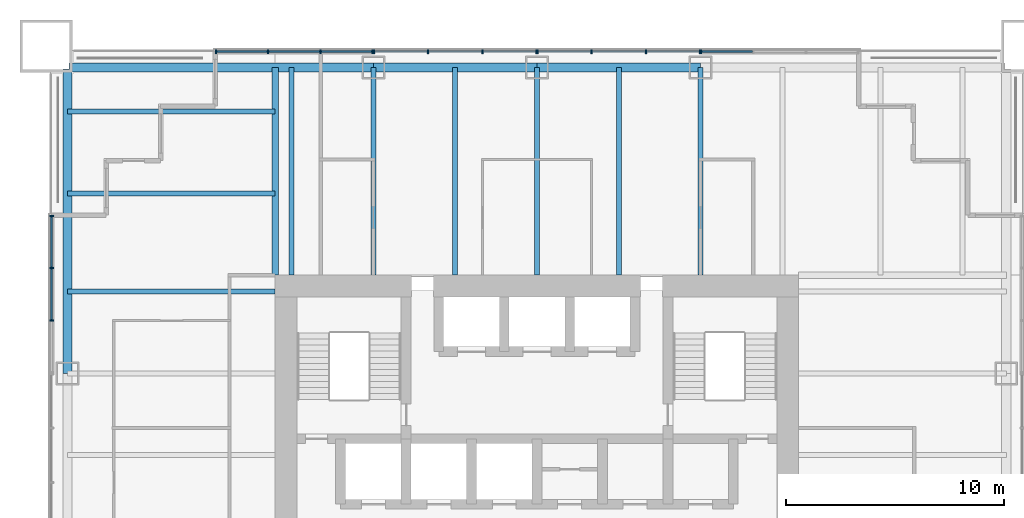
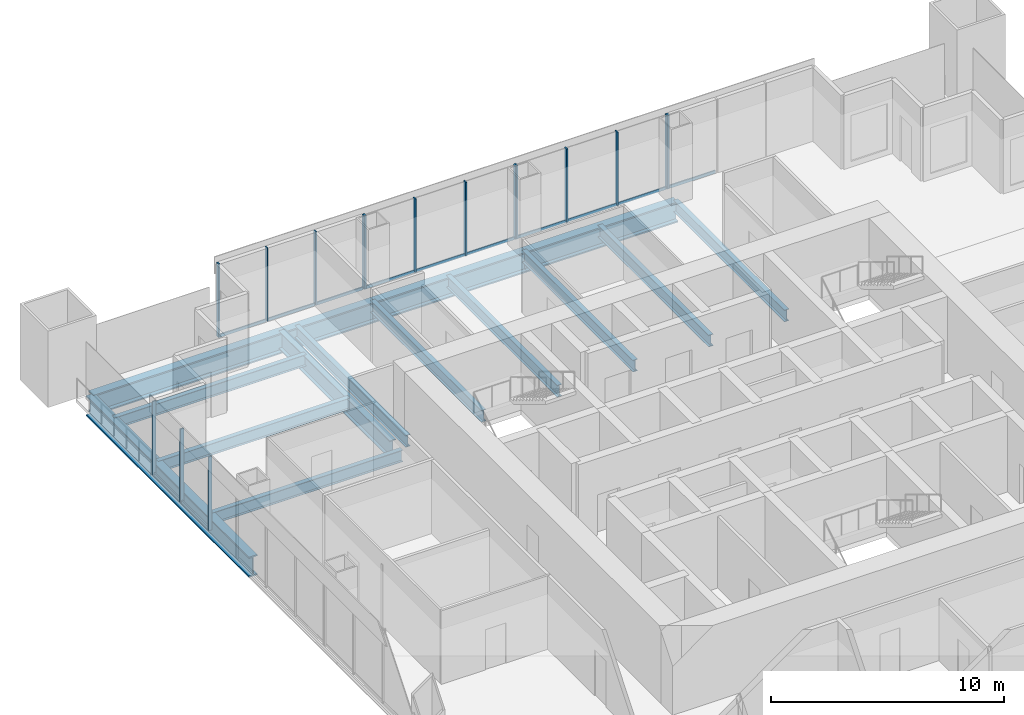
# One storey, part 5 of 13: 28 members, 14 beams, 5 elements without a shape of their own.
"""IFC4 building model written with IfcOpenShell, lengths in metres."""

import ifcopenshell
import ifcopenshell.guid

model = None  # the IFC model being written
_history = None  # IfcOwnerHistory: only IFC2X3 demands one
_inside = {}  # id of a spatial element -> (the spatial element, [elements in it])
_under = {}  # id of a project, library or spatial element -> (it, [spatial elements below it])
_declared = {}  # id of a project -> (the project, [libraries it declares])
_typed = {}  # id of a type object -> (the type object, [elements of that type])
_made_of = {}  # id of a material, layer set ... -> (it, [elements and type objects made of it])


def new_model(schema):
    """Start an empty IFC model of exactly this schema.

    Asked for "IFC4X3", IfcOpenShell would pick the latest addendum, in which some entities
    have other attributes; the version numbers below select the first issue.
    IFC2X3 requires an IfcOwnerHistory on every rooted entity: one is made here for all.
    """
    global model, _history
    if schema == "IFC4X3":
        model = ifcopenshell.file(schema_version=(4, 3, 0, 0))
    else:
        model = ifcopenshell.file(schema=schema)
    _inside.clear()
    _under.clear()
    _declared.clear()
    _typed.clear()
    _made_of.clear()
    _history = None
    if model.schema == "IFC2X3":
        org = make("IfcOrganization", Name="unknown")
        user = make(
            "IfcPersonAndOrganization",
            ThePerson=make("IfcPerson", FamilyName="unknown"),
            TheOrganization=org,
        )
        app = make(
            "IfcApplication",
            ApplicationDeveloper=org,
            Version="unknown",
            ApplicationFullName="unknown",
            ApplicationIdentifier="unknown",
        )
        _history = make(
            "IfcOwnerHistory",
            OwningUser=user,
            OwningApplication=app,
            ChangeAction="ADDED",
            CreationDate=0,
        )
    return model


def make(cls, **values):
    """One entity of the class cls with the attributes given. An attribute that is None is left unset."""
    return model.create_entity(
        cls, **{name: value for name, value in values.items() if value is not None}
    )


def rooted(cls, **values):
    """An entity with a GlobalId (a new one), such as an element, a storey or a relation."""
    return make(cls, GlobalId=ifcopenshell.guid.new(), OwnerHistory=_history, **values)


def si_unit(unit_type, name, prefix=None):
    """IfcSIUnit, for example si_unit("LENGTHUNIT", "METRE", prefix="MILLI")."""
    return make("IfcSIUnit", UnitType=unit_type, Prefix=prefix, Name=name)


def assignment(units):
    """IfcUnitAssignment: the units of a project."""
    return None if units is None else make("IfcUnitAssignment", Units=units)


def point(xyz):
    """IfcCartesianPoint."""
    return None if xyz is None else make("IfcCartesianPoint", Coordinates=xyz)


def direction(xyz):
    """IfcDirection."""
    return None if xyz is None else make("IfcDirection", DirectionRatios=xyz)


def frame(location, z_axis=None, x_axis=None):
    """IfcAxis2Placement3D, a coordinate frame: its origin and axes. An axis left out is left unset."""
    return make(
        "IfcAxis2Placement3D",
        Location=point(location),
        Axis=direction(z_axis),
        RefDirection=direction(x_axis),
    )


def frame_2d(location, x_axis=None):
    """IfcAxis2Placement2D, a coordinate frame in the plane: its origin and x axis."""
    return make(
        "IfcAxis2Placement2D", Location=point(location), RefDirection=direction(x_axis)
    )


def origin():
    """The frame at (0, 0, 0) with its axes left unset."""
    return frame((0.0, 0.0, 0.0))


def origin_2d():
    """The frame at (0, 0) in the plane with its x axis left unset."""
    return frame_2d((0.0, 0.0))


def place(relative_to, where):
    """IfcLocalPlacement: puts the frame where relative to a parent placement (None: the world)."""
    return make(
        "IfcLocalPlacement", PlacementRelTo=relative_to, RelativePlacement=where
    )


def context(
    kind, dimensions, precision=None, world=None, true_north=None, identifier=None
):
    """IfcGeometricRepresentationContext, for example the 3D "Model" context."""
    return make(
        "IfcGeometricRepresentationContext",
        ContextIdentifier=identifier,
        ContextType=kind,
        CoordinateSpaceDimension=dimensions,
        Precision=precision,
        WorldCoordinateSystem=world,
        TrueNorth=true_north,
    )


def subcontext(parent, identifier, kind, view, scale=None):
    """IfcGeometricRepresentationSubContext, for example "Body" below "Model"."""
    return make(
        "IfcGeometricRepresentationSubContext",
        ContextIdentifier=identifier,
        ContextType=kind,
        ParentContext=parent,
        TargetScale=scale,
        TargetView=view,
    )


def project(units=None, contexts=None):
    """IfcProject with its units and contexts."""
    return rooted(
        "IfcProject",
        Name="project",
        RepresentationContexts=contexts,
        UnitsInContext=assignment(units),
    )


def spatial(cls, under=None, at=None, **own):
    """A site, building, storey or space (cls), placed at a placement, below another one or the project."""
    s = rooted(cls, ObjectPlacement=at, **own)
    if under is not None:
        _under.setdefault(under.id(), (under, []))[1].append(s)
    return s


def profile(cls, at=None, kind="AREA", **sizes):
    """A parametric profile (cls). Its sizes go by their IFC names, for example OverallWidth=200.0."""
    return make(cls, ProfileType=kind, Position=at, **sizes)


def rectangle(**sizes):
    """IfcRectangleProfileDef."""
    return profile("IfcRectangleProfileDef", **sizes)


def i_section(**sizes):
    """IfcIShapeProfileDef."""
    return profile("IfcIShapeProfileDef", **sizes)


def extrude(swept, where, along, depth):
    """IfcExtrudedAreaSolid: the profile swept, set in the frame where, extruded along a direction by depth."""
    return make(
        "IfcExtrudedAreaSolid",
        SweptArea=swept,
        Position=where,
        ExtrudedDirection=direction(along),
        Depth=depth,
    )


def shape(context_of_items, identifier, shape_type, items):
    """IfcShapeRepresentation: the items that make up one representation, for example the "Body"."""
    return make(
        "IfcShapeRepresentation",
        ContextOfItems=context_of_items,
        RepresentationIdentifier=identifier,
        RepresentationType=shape_type,
        Items=items,
    )


def material(Name=None, Category=None):
    """IfcMaterial."""
    return make("IfcMaterial", Name=Name, Category=Category)


def material_profile(
    of_material, cross_section, Name=None, Category=None, Priority=None
):
    """IfcMaterialProfile: a cross section and its material."""
    return make(
        "IfcMaterialProfile",
        Name=Name,
        Material=of_material,
        Profile=cross_section,
        Priority=Priority,
        Category=Category,
    )


def profile_set(profiles, Name=None, composite=None):
    """IfcMaterialProfileSet."""
    return make(
        "IfcMaterialProfileSet",
        Name=Name,
        MaterialProfiles=profiles,
        CompositeProfile=composite,
    )


def made_of(thing, what):
    """Note that an element or type object is made of a material, layer set ...; save() writes the relation."""
    if what is not None:
        _made_of.setdefault(what.id(), (what, []))[1].append(thing)
    return thing


def type_object(cls, material=None, **own):
    """A type object (cls), such as IfcWallType, which elements share."""
    return made_of(rooted(cls, **own), material)


def element(
    cls,
    number,
    at=None,
    inside=None,
    cuts=None,
    type_object=None,
    material=None,
    context=None,
    identifier="Body",
    shape_type=None,
    held_by="IfcProductDefinitionShape",
    body=None,
    shapes=None,
    **own,
):
    """One element of the class cls, such as IfcWall. Its Tag is "e" and its number.

    at: its placement. inside: the storey or other place that contains it. cuts: it is an
    opening in that element (IfcRelVoidsElement). A single representation is given by context,
    identifier, shape_type and body (its items); several are given by shapes. held_by: the class
    of the entity that holds the representations. save() writes the other relations.
    """
    e = rooted(cls, Tag="e%d" % number, ObjectPlacement=at, **own)
    if body is not None:
        shapes = [shape(context, identifier, shape_type, body)]
    if shapes is not None:
        e.Representation = make(held_by, Representations=shapes)
    if inside is not None:
        _inside.setdefault(inside.id(), (inside, []))[1].append(e)
    if cuts is not None:
        rooted(
            "IfcRelVoidsElement", RelatingBuildingElement=cuts, RelatedOpeningElement=e
        )
    if type_object is not None:
        _typed.setdefault(type_object.id(), (type_object, []))[1].append(e)
    return made_of(e, material)


def aggregate(whole, parts):
    """IfcRelAggregates: a whole, such as a stair, and the parts it consists of."""
    return rooted("IfcRelAggregates", RelatingObject=whole, RelatedObjects=parts)


def save(model, path):
    """Write the relations noted so far, then the file.

    IfcRelAggregates (storeys below a building ...), IfcRelContainedInSpatialStructure (elements
    in a storey), IfcRelDefinesByType, IfcRelAssociatesMaterial and IfcRelDeclares: one each for
    every whole, place, type object, material and project.
    """
    for whole, parts in _under.values():
        aggregate(whole, parts)
    for where, things in _inside.values():
        rooted(
            "IfcRelContainedInSpatialStructure",
            RelatedElements=things,
            RelatingStructure=where,
        )
    for kind, things in _typed.values():
        rooted("IfcRelDefinesByType", RelatedObjects=things, RelatingType=kind)
    for what, things in _made_of.values():
        rooted("IfcRelAssociatesMaterial", RelatedObjects=things, RelatingMaterial=what)
    for by, libraries in _declared.values():
        rooted("IfcRelDeclares", RelatingContext=by, RelatedDefinitions=libraries)
    model.write(path)


model = new_model("IFC4")

# Units and contexts
model_context = context("Model", 3, precision=1e-05, world=origin(), true_north=direction((0.0, 1.0)))
body_context = subcontext(model_context, "Body", "Model", "MODEL_VIEW")
ifc_project = project(units=[si_unit("LENGTHUNIT", "METRE"), si_unit("AREAUNIT", "SQUARE_METRE"), si_unit("VOLUMEUNIT", "CUBIC_METRE"), si_unit("PLANEANGLEUNIT", "RADIAN"), si_unit("MASSUNIT", "GRAM", prefix="KILO")], contexts=[model_context])

# Site, building, storey
site_placement = place(None, origin())
site = spatial("IfcSite", under=ifc_project, at=site_placement, CompositionType="ELEMENT")
building_placement = place(site_placement, origin())
building = spatial("IfcBuilding", under=site, at=building_placement, Name="Tarangal Relay Tower", CompositionType="ELEMENT")
storey_placement = place(building_placement, frame((0.0, 0.0, 241.89990234375)))
storey = spatial("IfcBuildingStorey", under=building, at=storey_placement, Name="L52", CompositionType="ELEMENT", Elevation=241.89990234375)

# Beams
ifc_material_1 = material(Name="Steel ASTM A992", Category="steel")
ifc_material_profile_1 = material_profile(ifc_material_1, i_section(OverallWidth=0.227783203125, OverallDepth=0.60205078125, WebThickness=0.010498046875, FlangeThickness=0.014892578125, at=origin_2d()), Name="W24X68")
ifc_profile_set_1 = profile_set([ifc_material_profile_1], Name="Steel ASTM A992")
beam_type_1 = type_object("IfcBeamType", Name="Corner beam W24X68", PredefinedType="JOIST", material=ifc_profile_set_1)
for number, where, z_axis, x_axis, name in (
    (1, (-12.0, 15.75, -0.450927734375), (-1.0, 0.0, 0.0), (0.0, -1.0, 0.0), "Corner beam CB11 W L52"),
    (2, (-12.0, 19.5, -0.450927734375), (-1.0, 0.0, 0.0), (0.0, -1.0, 0.0), "Corner beam CB11 W L52"),
):
    element("IfcBeam", number, at=place(storey_placement, frame(where, z_axis=z_axis, x_axis=x_axis)), inside=storey, type_object=beam_type_1, Name=name, PredefinedType="JOIST", context=body_context, shape_type="SweptSolid", body=[
        extrude(i_section(OverallWidth=0.227783203125, OverallDepth=0.60205078125, WebThickness=0.010498046875, FlangeThickness=0.014892578125, at=origin_2d()), origin(), (0.0, 0.0, 1.0), 9.514892578125),
    ])
ifc_material_profile_2 = material_profile(ifc_material_1, i_section(OverallWidth=0.307373046875, OverallDepth=0.9423828125, WebThickness=0.022216796875, FlangeThickness=0.039794921875, at=origin_2d()), Name="W36X232")
ifc_profile_set_2 = profile_set([ifc_material_profile_2], Name="Steel ASTM A992")
beam_type_2 = type_object("IfcBeamType", Name="Corner girder W36X232", PredefinedType="BEAM", material=ifc_profile_set_2)
beam_1_placement = place(storey_placement, frame((-12.0, 12.0, -0.62109375), z_axis=(0.0, 1.0, 0.0), x_axis=(-1.0, 0.0, 0.0)))
element("IfcBeam", 3, at=beam_1_placement, inside=storey, type_object=beam_type_2, Name="Corner girder CG4 W L52", PredefinedType="BEAM", context=body_context, shape_type="SweptSolid", body=[
    extrude(i_section(OverallWidth=0.307373046875, OverallDepth=0.9423828125, WebThickness=0.022216796875, FlangeThickness=0.039794921875, at=origin_2d()), origin(), (0.0, 0.0, 1.0), 9.514892578125),
])
ifc_material_profile_3 = material_profile(ifc_material_1, i_section(OverallWidth=0.41650390625, OverallDepth=1.0693359375, WebThickness=0.0390625, FlangeThickness=0.070068359375, at=origin_2d()), Name="W40X503")
ifc_profile_set_3 = profile_set([ifc_material_profile_3], Name="Steel ASTM A992")
beam_type_3 = type_object("IfcBeamType", Name="Edge girder W40X503", PredefinedType="SPANDREL", material=ifc_profile_set_3)
beam_2_placement = place(storey_placement, frame((-21.449951171875, 21.514892578125, -0.6845703125), z_axis=(1.0, 0.0, 0.0), x_axis=(0.0, 1.0, 0.0)))
element("IfcBeam", 4, at=beam_2_placement, inside=storey, type_object=beam_type_3, Name="Edge girder EG8 N L52", PredefinedType="SPANDREL", context=body_context, shape_type="SweptSolid", body=[
    extrude(i_section(OverallWidth=0.41650390625, OverallDepth=1.0693359375, WebThickness=0.0390625, FlangeThickness=0.070068359375, at=origin_2d()), origin(), (0.0, 0.0, 1.0), 13.949951171875),
])
for number, where, z_axis, x_axis, name in (
    (5, (-7.5, 21.514892578125, -0.6845703125), (1.0, 0.0, 0.0), (0.0, 1.0, 0.0), "Edge girder EG8 N L52"),
    (6, (0.0, 21.514892578125, -0.6845703125), (1.0, 0.0, 0.0), (0.0, 1.0, 0.0), "Edge girder EG8 N L52"),
):
    element("IfcBeam", number, at=place(storey_placement, frame(where, z_axis=z_axis, x_axis=x_axis)), inside=storey, type_object=beam_type_3, Name=name, PredefinedType="SPANDREL", context=body_context, shape_type="SweptSolid", body=[
        extrude(i_section(OverallWidth=0.41650390625, OverallDepth=1.0693359375, WebThickness=0.0390625, FlangeThickness=0.070068359375, at=origin_2d()), origin(), (0.0, 0.0, 1.0), 7.5),
    ])
beam_3_placement = place(storey_placement, frame((-21.514892578125, 7.5, -0.6845703125), z_axis=(0.0, 1.0, 0.0), x_axis=(-1.0, 0.0, 0.0)))
element("IfcBeam", 7, at=beam_3_placement, inside=storey, type_object=beam_type_3, Name="Edge girder EG8 W L52", PredefinedType="SPANDREL", context=body_context, shape_type="SweptSolid", body=[
    extrude(i_section(OverallWidth=0.41650390625, OverallDepth=1.0693359375, WebThickness=0.0390625, FlangeThickness=0.070068359375, at=origin_2d()), origin(), (0.0, 0.0, 1.0), 13.949951171875),
])
ifc_material_profile_4 = material_profile(ifc_material_1, i_section(OverallWidth=0.22900390625, OverallDepth=0.612060546875, WebThickness=0.011962890625, FlangeThickness=0.01953125, at=origin_2d()), Name="W24X84")
ifc_profile_set_4 = profile_set([ifc_material_profile_4], Name="Steel ASTM A992")
beam_type_4 = type_object("IfcBeamType", Name="Floor beam W24X84", PredefinedType="BEAM", material=ifc_profile_set_4)
for number, where, z_axis, x_axis, name in (
    (8, (-11.25, 12.0, -0.455810546875), (0.0, 1.0, 0.0), (-1.0, 0.0, 0.0), "Floor beam RB12 N L52"),
    (9, (-7.5, 12.0, -0.455810546875), (0.0, 1.0, 0.0), (-1.0, 0.0, 0.0), "Floor beam RB12 N L52"),
    (10, (-3.75, 12.0, -0.455810546875), (0.0, 1.0, 0.0), (-1.0, 0.0, 0.0), "Floor beam RB12 N L52"),
    (11, (0.0, 12.0, -0.455810546875), (0.0, 1.0, 0.0), (-1.0, 0.0, 0.0), "Floor beam RB12 N L52"),
    (12, (3.75, 12.0, -0.455810546875), (0.0, 1.0, 0.0), (-1.0, 0.0, 0.0), "Floor beam RB12 N L52"),
    (13, (7.5, 12.0, -0.455810546875), (0.0, 1.0, 0.0), (-1.0, 0.0, 0.0), "Floor beam RB12 N L52"),
    (14, (-12.0, 11.25, -0.455810546875), (-1.0, 0.0, 0.0), (0.0, -1.0, 0.0), "Floor beam RB12 W L52"),
):
    element("IfcBeam", number, at=place(storey_placement, frame(where, z_axis=z_axis, x_axis=x_axis)), inside=storey, type_object=beam_type_4, Name=name, PredefinedType="BEAM", context=body_context, shape_type="SweptSolid", body=[
        extrude(i_section(OverallWidth=0.22900390625, OverallDepth=0.612060546875, WebThickness=0.011962890625, FlangeThickness=0.01953125, at=origin_2d()), origin(), (0.0, 0.0, 1.0), 9.514892578125),
    ])

# Curtain wall, members
ifc_material_2 = material(Name="Unitised curtain wall, dark glass and black aluminium", Category="aluminium")
curtain_wall_type_1 = type_object("IfcCurtainWallType", Name="Curtain wall CW-A", PredefinedType="USERDEFINED", material=ifc_material_2)
curtain_wall_1_placement = place(storey_placement, origin())
curtain_wall_1 = element("IfcCurtainWall", 15, at=curtain_wall_1_placement, inside=storey, type_object=curtain_wall_type_1, Name="Curtain wall CW-A N facade L52", ObjectType="UNITISED CURTAIN WALL", PredefinedType="USERDEFINED")
ifc_material_3 = material(Name="Black anodised aluminium mullion", Category="aluminium")
ifc_material_profile_5 = material_profile(ifc_material_3, rectangle(XDim=0.175048828125, YDim=0.06494140625, at=origin_2d()), Name="CW-AM 65X175")
ifc_profile_set_5 = profile_set([ifc_material_profile_5], Name="Black anodised aluminium mullion")
member_type_1 = type_object("IfcMemberType", Name="Mullion CW-A 65 x 175", PredefinedType="MULLION", material=ifc_profile_set_5)
member_1_placement = place(storey_placement, frame((-7.467529296875, 22.25, 0.0), z_axis=(0.0, 0.0, 1.0), x_axis=(0.0, 1.0, 0.0)))
member_1 = element("IfcMember", 16, at=member_1_placement, type_object=member_type_1, Name="CW-A mullion 1", PredefinedType="MULLION", context=body_context, shape_type="SweptSolid", body=[
    extrude(rectangle(XDim=0.175048828125, YDim=0.06494140625, at=origin_2d()), origin(), (0.0, 0.0, 1.0), 3.85009765625),
])
member_2_placement = place(storey_placement, frame((-5.0, 22.25, 0.0), z_axis=(0.0, 0.0, 1.0), x_axis=(0.0, 1.0, 0.0)))
member_2 = element("IfcMember", 17, at=member_2_placement, type_object=member_type_1, Name="CW-A mullion 2", PredefinedType="MULLION", context=body_context, shape_type="SweptSolid", body=[
    extrude(rectangle(XDim=0.175048828125, YDim=0.06494140625, at=origin_2d()), origin(), (0.0, 0.0, 1.0), 3.85009765625),
])
member_3_placement = place(storey_placement, frame((-2.5, 22.25, 0.0), z_axis=(0.0, 0.0, 1.0), x_axis=(0.0, 1.0, 0.0)))
member_3 = element("IfcMember", 18, at=member_3_placement, type_object=member_type_1, Name="CW-A mullion 3", PredefinedType="MULLION", context=body_context, shape_type="SweptSolid", body=[
    extrude(rectangle(XDim=0.175048828125, YDim=0.06494140625, at=origin_2d()), origin(), (0.0, 0.0, 1.0), 3.85009765625),
])
member_4_placement = place(storey_placement, frame((-0.032470703125, 22.25, 0.0), z_axis=(0.0, 0.0, 1.0), x_axis=(0.0, 1.0, 0.0)))
member_4 = element("IfcMember", 19, at=member_4_placement, type_object=member_type_1, Name="CW-A mullion 4", PredefinedType="MULLION", context=body_context, shape_type="SweptSolid", body=[
    extrude(rectangle(XDim=0.175048828125, YDim=0.06494140625, at=origin_2d()), origin(), (0.0, 0.0, 1.0), 3.85009765625),
])

curtain_wall_2_placement = place(storey_placement, origin())
curtain_wall_2 = element("IfcCurtainWall", 20, at=curtain_wall_2_placement, inside=storey, type_object=curtain_wall_type_1, Name="Curtain wall CW-A N facade L52", ObjectType="UNITISED CURTAIN WALL", PredefinedType="USERDEFINED")
member_5_placement = place(storey_placement, frame((0.032470703125, 22.25, 0.0), z_axis=(0.0, 0.0, 1.0), x_axis=(0.0, 1.0, 0.0)))
member_5 = element("IfcMember", 21, at=member_5_placement, type_object=member_type_1, Name="CW-A mullion 1", PredefinedType="MULLION", context=body_context, shape_type="SweptSolid", body=[
    extrude(rectangle(XDim=0.175048828125, YDim=0.06494140625, at=origin_2d()), origin(), (0.0, 0.0, 1.0), 3.85009765625),
])
member_6_placement = place(storey_placement, frame((2.5, 22.25, 0.0), z_axis=(0.0, 0.0, 1.0), x_axis=(0.0, 1.0, 0.0)))
member_6 = element("IfcMember", 22, at=member_6_placement, type_object=member_type_1, Name="CW-A mullion 2", PredefinedType="MULLION", context=body_context, shape_type="SweptSolid", body=[
    extrude(rectangle(XDim=0.175048828125, YDim=0.06494140625, at=origin_2d()), origin(), (0.0, 0.0, 1.0), 3.85009765625),
])
member_7_placement = place(storey_placement, frame((5.0, 22.25, 0.0), z_axis=(0.0, 0.0, 1.0), x_axis=(0.0, 1.0, 0.0)))
member_7 = element("IfcMember", 23, at=member_7_placement, type_object=member_type_1, Name="CW-A mullion 3", PredefinedType="MULLION", context=body_context, shape_type="SweptSolid", body=[
    extrude(rectangle(XDim=0.175048828125, YDim=0.06494140625, at=origin_2d()), origin(), (0.0, 0.0, 1.0), 3.85009765625),
])
member_8_placement = place(storey_placement, frame((7.467529296875, 22.25, 0.0), z_axis=(0.0, 0.0, 1.0), x_axis=(0.0, 1.0, 0.0)))
member_8 = element("IfcMember", 24, at=member_8_placement, type_object=member_type_1, Name="CW-A mullion 4", PredefinedType="MULLION", context=body_context, shape_type="SweptSolid", body=[
    extrude(rectangle(XDim=0.175048828125, YDim=0.06494140625, at=origin_2d()), origin(), (0.0, 0.0, 1.0), 3.85009765625),
])

ifc_material_4 = material(Name="Unitised curtain wall frame, black aluminium, with metal clad infill walls", Category="aluminium")
curtain_wall_type_2 = type_object("IfcCurtainWallType", Name="Curtain wall CW-AO", PredefinedType="USERDEFINED", material=ifc_material_4)
curtain_wall_3_placement = place(storey_placement, origin())
curtain_wall_3 = element("IfcCurtainWall", 25, at=curtain_wall_3_placement, inside=storey, type_object=curtain_wall_type_2, Name="Curtain wall CW-AO N facade L52", ObjectType="UNITISED CURTAIN WALL", PredefinedType="USERDEFINED")
ifc_material_profile_6 = material_profile(ifc_material_3, rectangle(XDim=0.175048828125, YDim=0.06494140625, at=origin_2d()), Name="CW-AOM 65X175")
ifc_profile_set_6 = profile_set([ifc_material_profile_6], Name="Black anodised aluminium mullion")
member_type_2 = type_object("IfcMemberType", Name="Mullion CW-AO 65 x 175", PredefinedType="MULLION", material=ifc_profile_set_6)
member_9_placement = place(storey_placement, frame((-14.717529296875, 22.25, 0.0), z_axis=(0.0, 0.0, 1.0), x_axis=(0.0, 1.0, 0.0)))
member_9 = element("IfcMember", 26, at=member_9_placement, type_object=member_type_2, Name="CW-AO mullion 1", PredefinedType="MULLION", context=body_context, shape_type="SweptSolid", body=[
    extrude(rectangle(XDim=0.175048828125, YDim=0.06494140625, at=origin_2d()), origin(), (0.0, 0.0, 1.0), 3.85009765625),
])
member_10_placement = place(storey_placement, frame((-12.333251953125, 22.25, 0.0), z_axis=(0.0, 0.0, 1.0), x_axis=(0.0, 1.0, 0.0)))
member_10 = element("IfcMember", 27, at=member_10_placement, type_object=member_type_2, Name="CW-AO mullion 2", PredefinedType="MULLION", context=body_context, shape_type="SweptSolid", body=[
    extrude(rectangle(XDim=0.175048828125, YDim=0.06494140625, at=origin_2d()), origin(), (0.0, 0.0, 1.0), 3.85009765625),
])
member_11_placement = place(storey_placement, frame((-9.916748046875, 22.25, 0.0), z_axis=(0.0, 0.0, 1.0), x_axis=(0.0, 1.0, 0.0)))
member_11 = element("IfcMember", 28, at=member_11_placement, type_object=member_type_2, Name="CW-AO mullion 3", PredefinedType="MULLION", context=body_context, shape_type="SweptSolid", body=[
    extrude(rectangle(XDim=0.175048828125, YDim=0.06494140625, at=origin_2d()), origin(), (0.0, 0.0, 1.0), 3.85009765625),
])
member_12_placement = place(storey_placement, frame((-7.532470703125, 22.25, 0.0), z_axis=(0.0, 0.0, 1.0), x_axis=(0.0, 1.0, 0.0)))
member_12 = element("IfcMember", 29, at=member_12_placement, type_object=member_type_2, Name="CW-AO mullion 4", PredefinedType="MULLION", context=body_context, shape_type="SweptSolid", body=[
    extrude(rectangle(XDim=0.175048828125, YDim=0.06494140625, at=origin_2d()), origin(), (0.0, 0.0, 1.0), 3.85009765625),
])

# Curtain wall, member
curtain_wall_4_placement = place(storey_placement, origin())
curtain_wall_4 = element("IfcCurtainWall", 30, at=curtain_wall_4_placement, inside=storey, type_object=curtain_wall_type_2, Name="Curtain wall CW-AO N facade L52", ObjectType="UNITISED CURTAIN WALL", PredefinedType="USERDEFINED")
member_13_placement = place(storey_placement, frame((7.532470703125, 22.25, 0.0), z_axis=(0.0, 0.0, 1.0), x_axis=(0.0, 1.0, 0.0)))
member_13 = element("IfcMember", 31, at=member_13_placement, type_object=member_type_2, Name="CW-AO mullion 1", PredefinedType="MULLION", context=body_context, shape_type="SweptSolid", body=[
    extrude(rectangle(XDim=0.175048828125, YDim=0.06494140625, at=origin_2d()), origin(), (0.0, 0.0, 1.0), 3.85009765625),
])

# Curtain wall, members
curtain_wall_5_placement = place(storey_placement, origin())
curtain_wall_5 = element("IfcCurtainWall", 32, at=curtain_wall_5_placement, inside=storey, type_object=curtain_wall_type_2, Name="Curtain wall CW-AO W facade L52", ObjectType="UNITISED CURTAIN WALL", PredefinedType="USERDEFINED")
member_14_placement = place(storey_placement, frame((-22.25, 9.916748046875, 0.0), z_axis=(0.0, 0.0, 1.0), x_axis=(-1.0, 0.0, 0.0)))
member_14 = element("IfcMember", 33, at=member_14_placement, type_object=member_type_2, Name="CW-AO mullion 2", PredefinedType="MULLION", context=body_context, shape_type="SweptSolid", body=[
    extrude(rectangle(XDim=0.175048828125, YDim=0.06494140625, at=origin_2d()), origin(), (0.0, 0.0, 1.0), 3.85009765625),
])
member_15_placement = place(storey_placement, frame((-22.25, 12.333251953125, 0.0), z_axis=(0.0, 0.0, 1.0), x_axis=(-1.0, 0.0, 0.0)))
member_15 = element("IfcMember", 34, at=member_15_placement, type_object=member_type_2, Name="CW-AO mullion 3", PredefinedType="MULLION", context=body_context, shape_type="SweptSolid", body=[
    extrude(rectangle(XDim=0.175048828125, YDim=0.06494140625, at=origin_2d()), origin(), (0.0, 0.0, 1.0), 3.85009765625),
])
member_16_placement = place(storey_placement, frame((-22.25, 14.717529296875, 0.0), z_axis=(0.0, 0.0, 1.0), x_axis=(-1.0, 0.0, 0.0)))
member_16 = element("IfcMember", 35, at=member_16_placement, type_object=member_type_2, Name="CW-AO mullion 4", PredefinedType="MULLION", context=body_context, shape_type="SweptSolid", body=[
    extrude(rectangle(XDim=0.175048828125, YDim=0.06494140625, at=origin_2d()), origin(), (0.0, 0.0, 1.0), 3.85009765625),
])

# Member
ifc_material_5 = material(Name="Black anodised aluminium transom", Category="aluminium")
ifc_material_profile_7 = material_profile(ifc_material_5, rectangle(XDim=0.06494140625, YDim=0.14990234375, at=origin_2d()), Name="CW-AT 65X150")
ifc_profile_set_7 = profile_set([ifc_material_profile_7], Name="Black anodised aluminium transom")
member_type_3 = type_object("IfcMemberType", Name="Transom CW-A 65 x 150", PredefinedType="USERDEFINED", material=ifc_profile_set_7)
member_17_placement = place(storey_placement, frame((-7.43505859375, 22.25, 0.03271484375), z_axis=(1.0, 0.0, 0.0), x_axis=(0.0, 1.0, 0.0)))
member_17 = element("IfcMember", 36, at=member_17_placement, type_object=member_type_3, Name="CW-A transom 1.1", ObjectType="TRANSOM", PredefinedType="USERDEFINED", context=body_context, shape_type="SweptSolid", body=[
    extrude(rectangle(XDim=0.06494140625, YDim=0.14990234375, at=origin_2d()), origin(), (0.0, 0.0, 1.0), 2.402587890625),
])

member_18_placement = place(storey_placement, frame((-4.967529296875, 22.25, 0.03271484375), z_axis=(1.0, 0.0, 0.0), x_axis=(0.0, 1.0, 0.0)))
member_18 = element("IfcMember", 37, at=member_18_placement, type_object=member_type_3, Name="CW-A transom 2.1", ObjectType="TRANSOM", PredefinedType="USERDEFINED", context=body_context, shape_type="SweptSolid", body=[
    extrude(rectangle(XDim=0.06494140625, YDim=0.14990234375, at=origin_2d()), origin(), (0.0, 0.0, 1.0), 2.43505859375),
])

member_19_placement = place(storey_placement, frame((-2.467529296875, 22.25, 0.03271484375), z_axis=(1.0, 0.0, 0.0), x_axis=(0.0, 1.0, 0.0)))
member_19 = element("IfcMember", 38, at=member_19_placement, type_object=member_type_3, Name="CW-A transom 3.1", ObjectType="TRANSOM", PredefinedType="USERDEFINED", context=body_context, shape_type="SweptSolid", body=[
    extrude(rectangle(XDim=0.06494140625, YDim=0.14990234375, at=origin_2d()), origin(), (0.0, 0.0, 1.0), 2.402587890625),
])

aggregate(curtain_wall_1, [member_1, member_2, member_3, member_4, member_17, member_18, member_19])

member_20_placement = place(storey_placement, frame((0.06494140625, 22.25, 0.03271484375), z_axis=(1.0, 0.0, 0.0), x_axis=(0.0, 1.0, 0.0)))
member_20 = element("IfcMember", 39, at=member_20_placement, type_object=member_type_3, Name="CW-A transom 1.1", ObjectType="TRANSOM", PredefinedType="USERDEFINED", context=body_context, shape_type="SweptSolid", body=[
    extrude(rectangle(XDim=0.06494140625, YDim=0.14990234375, at=origin_2d()), origin(), (0.0, 0.0, 1.0), 2.402587890625),
])

member_21_placement = place(storey_placement, frame((2.532470703125, 22.25, 0.03271484375), z_axis=(1.0, 0.0, 0.0), x_axis=(0.0, 1.0, 0.0)))
member_21 = element("IfcMember", 40, at=member_21_placement, type_object=member_type_3, Name="CW-A transom 2.1", ObjectType="TRANSOM", PredefinedType="USERDEFINED", context=body_context, shape_type="SweptSolid", body=[
    extrude(rectangle(XDim=0.06494140625, YDim=0.14990234375, at=origin_2d()), origin(), (0.0, 0.0, 1.0), 2.43505859375),
])

member_22_placement = place(storey_placement, frame((5.032470703125, 22.25, 0.03271484375), z_axis=(1.0, 0.0, 0.0), x_axis=(0.0, 1.0, 0.0)))
member_22 = element("IfcMember", 41, at=member_22_placement, type_object=member_type_3, Name="CW-A transom 3.1", ObjectType="TRANSOM", PredefinedType="USERDEFINED", context=body_context, shape_type="SweptSolid", body=[
    extrude(rectangle(XDim=0.06494140625, YDim=0.14990234375, at=origin_2d()), origin(), (0.0, 0.0, 1.0), 2.402587890625),
])

aggregate(curtain_wall_2, [member_5, member_6, member_7, member_8, member_20, member_21, member_22])

ifc_material_profile_8 = material_profile(ifc_material_5, rectangle(XDim=0.06494140625, YDim=0.14990234375, at=origin_2d()), Name="CW-AOT 65X150")
ifc_profile_set_8 = profile_set([ifc_material_profile_8], Name="Black anodised aluminium transom")
member_type_4 = type_object("IfcMemberType", Name="Transom CW-AO 65 x 150", PredefinedType="USERDEFINED", material=ifc_profile_set_8)
member_23_placement = place(storey_placement, frame((-14.68505859375, 22.25, 0.03271484375), z_axis=(1.0, 0.0, 0.0), x_axis=(0.0, 1.0, 0.0)))
member_23 = element("IfcMember", 42, at=member_23_placement, type_object=member_type_4, Name="CW-AO transom 1.1", ObjectType="TRANSOM", PredefinedType="USERDEFINED", context=body_context, shape_type="SweptSolid", body=[
    extrude(rectangle(XDim=0.06494140625, YDim=0.14990234375, at=origin_2d()), origin(), (0.0, 0.0, 1.0), 2.3193359375),
])

member_24_placement = place(storey_placement, frame((-12.30078125, 22.25, 0.03271484375), z_axis=(1.0, 0.0, 0.0), x_axis=(0.0, 1.0, 0.0)))
member_24 = element("IfcMember", 43, at=member_24_placement, type_object=member_type_4, Name="CW-AO transom 2.1", ObjectType="TRANSOM", PredefinedType="USERDEFINED", context=body_context, shape_type="SweptSolid", body=[
    extrude(rectangle(XDim=0.06494140625, YDim=0.14990234375, at=origin_2d()), origin(), (0.0, 0.0, 1.0), 2.3515625),
])

member_25_placement = place(storey_placement, frame((-9.88427734375, 22.25, 0.03271484375), z_axis=(1.0, 0.0, 0.0), x_axis=(0.0, 1.0, 0.0)))
member_25 = element("IfcMember", 44, at=member_25_placement, type_object=member_type_4, Name="CW-AO transom 3.1", ObjectType="TRANSOM", PredefinedType="USERDEFINED", context=body_context, shape_type="SweptSolid", body=[
    extrude(rectangle(XDim=0.06494140625, YDim=0.14990234375, at=origin_2d()), origin(), (0.0, 0.0, 1.0), 2.3193359375),
])

aggregate(curtain_wall_3, [member_9, member_10, member_11, member_12, member_23, member_24, member_25])

member_26_placement = place(storey_placement, frame((7.56494140625, 22.25, 0.03271484375), z_axis=(1.0, 0.0, 0.0), x_axis=(0.0, 1.0, 0.0)))
member_26 = element("IfcMember", 45, at=member_26_placement, type_object=member_type_4, Name="CW-AO transom 1.1", ObjectType="TRANSOM", PredefinedType="USERDEFINED", context=body_context, shape_type="SweptSolid", body=[
    extrude(rectangle(XDim=0.06494140625, YDim=0.14990234375, at=origin_2d()), origin(), (0.0, 0.0, 1.0), 2.3193359375),
])

aggregate(curtain_wall_4, [member_13, member_26])

member_27_placement = place(storey_placement, frame((-22.25, 9.94921875, 0.03271484375), z_axis=(0.0, 1.0, 0.0), x_axis=(-1.0, 0.0, 0.0)))
member_27 = element("IfcMember", 46, at=member_27_placement, type_object=member_type_4, Name="CW-AO transom 2.1", ObjectType="TRANSOM", PredefinedType="USERDEFINED", context=body_context, shape_type="SweptSolid", body=[
    extrude(rectangle(XDim=0.06494140625, YDim=0.14990234375, at=origin_2d()), origin(), (0.0, 0.0, 1.0), 2.3515625),
])

member_28_placement = place(storey_placement, frame((-22.25, 12.36572265625, 0.03271484375), z_axis=(0.0, 1.0, 0.0), x_axis=(-1.0, 0.0, 0.0)))
member_28 = element("IfcMember", 47, at=member_28_placement, type_object=member_type_4, Name="CW-AO transom 3.1", ObjectType="TRANSOM", PredefinedType="USERDEFINED", context=body_context, shape_type="SweptSolid", body=[
    extrude(rectangle(XDim=0.06494140625, YDim=0.14990234375, at=origin_2d()), origin(), (0.0, 0.0, 1.0), 2.3193359375),
])

aggregate(curtain_wall_5, [member_14, member_15, member_16, member_27, member_28])

save(model, "model.ifc")
